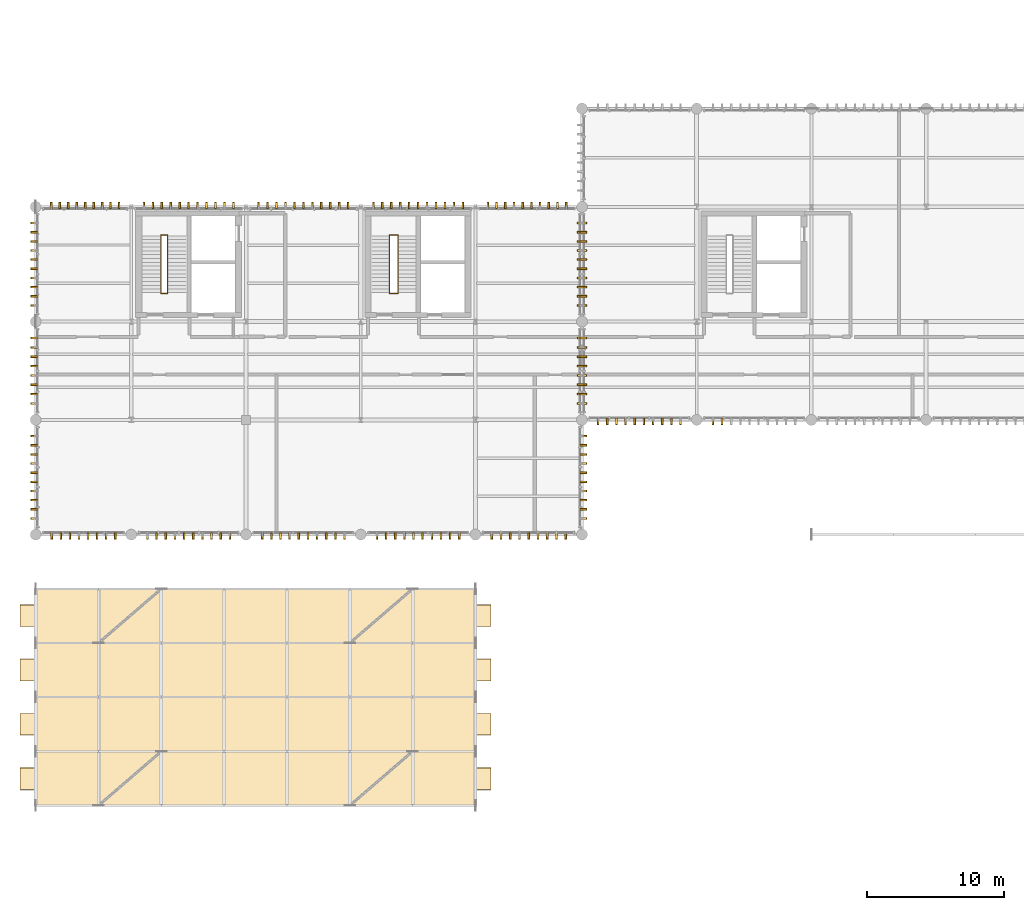
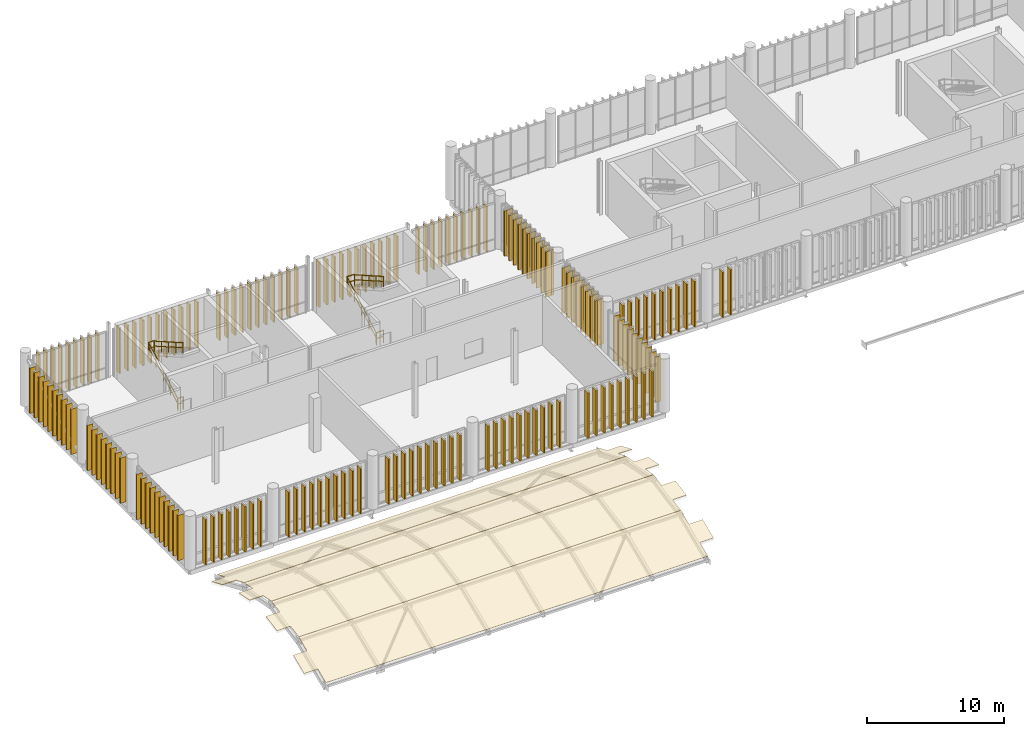
# One storey, part 87 of 94: 189 coverings, 8 railings, 1 element without a shape of its own.
"""IFC4 building model written with IfcOpenShell, lengths in metres."""

from ifc_helpers import new_model, si_unit, direction, frame, frame_2d, origin_with_axes, origin_2d_with_axis, place, context, subcontext, project, spatial, polyline, rectangle, circle, outline, extrude, material, type_object, element, aggregate, save


model = new_model("IFC4")

# Units and contexts
model_context = context("Model", 3, precision=1e-05, world=origin_with_axes(), true_north=direction((0.0, 1.0)))
body_context = subcontext(model_context, "Body", "Model", "MODEL_VIEW")
ifc_project = project(units=[si_unit("LENGTHUNIT", "METRE"), si_unit("AREAUNIT", "SQUARE_METRE"), si_unit("VOLUMEUNIT", "CUBIC_METRE"), si_unit("PLANEANGLEUNIT", "RADIAN"), si_unit("MASSUNIT", "GRAM", prefix="KILO"), si_unit("THERMODYNAMICTEMPERATUREUNIT", "KELVIN")], contexts=[model_context])

# Site, building, storey
site_placement = place(None, origin_with_axes())
site = spatial("IfcSite", under=ifc_project, at=site_placement, CompositionType="ELEMENT")
building_placement = place(site_placement, origin_with_axes())
building = spatial("IfcBuilding", under=site, at=building_placement, Name="Montbau Bow Law Courts", CompositionType="ELEMENT")
storey_placement = place(building_placement, frame((0.0, 0.0, 15.6), z_axis=(0.0, 0.0, 1.0), x_axis=(1.0, 0.0, 0.0)))
storey = spatial("IfcBuildingStorey", under=building, at=storey_placement, Name="L03", CompositionType="ELEMENT", Elevation=15.6)

# Coverings
ifc_material_1 = material(Name="Freeze-Thaw Glazed Warm Cream Ceramic Vertical Louvre", Category="masonry")
covering_type_1 = type_object("IfcCoveringType", Name="CV-LVR-CRM", PredefinedType="CLADDING", material=ifc_material_1)
for number, where, z_axis, x_axis, name in (
    (1, (47.985, 39.13, 15.6), (-1.0, 0.0, 0.0), (0.0, -1.0, 0.0), "CLV-L03-1559:cov_1604"),
    (2, (48.655, 39.13, 15.6), (-1.0, 0.0, 0.0), (0.0, -1.0, 0.0), "CLV-L03-1560:cov_1605"),
    (3, (49.325, 39.13, 15.6), (-1.0, 0.0, 0.0), (0.0, -1.0, 0.0), "CLV-L03-1561:cov_1606"),
    (4, (49.995, 39.13, 15.6), (-1.0, 0.0, 0.0), (0.0, -1.0, 0.0), "CLV-L03-1562:cov_1607"),
    (5, (50.665, 39.13, 15.6), (-1.0, 0.0, 0.0), (0.0, -1.0, 0.0), "CLV-L03-1563:cov_1608"),
    (6, (51.335, 39.13, 15.6), (-1.0, 0.0, 0.0), (0.0, -1.0, 0.0), "CLV-L03-1564:cov_1609"),
    (7, (52.005, 39.13, 15.6), (-1.0, 0.0, 0.0), (0.0, -1.0, 0.0), "CLV-L03-1565:cov_1610"),
    (8, (52.675, 39.13, 15.6), (-1.0, 0.0, 0.0), (0.0, -1.0, 0.0), "CLV-L03-1566:cov_1611"),
    (9, (53.345, 39.13, 15.6), (-1.0, 0.0, 0.0), (0.0, -1.0, 0.0), "CLV-L03-1567:cov_1612"),
    (10, (54.015, 39.13, 15.6), (-1.0, 0.0, 0.0), (0.0, -1.0, 0.0), "CLV-L03-1568:cov_1613"),
    (11, (56.385, 39.13, 15.6), (-1.0, 0.0, 0.0), (0.0, -1.0, 0.0), "CLV-L03-1569:cov_1614"),
    (12, (57.055, 39.13, 15.6), (-1.0, 0.0, 0.0), (0.0, -1.0, 0.0), "CLV-L03-1570:cov_1615"),
    (13, (46.93, 40.201, 15.6), (0.0, 1.0, 0.0), (-1.0, 0.0, 0.0), "CLV-L03-1679:cov_1724"),
    (14, (46.93, 40.886, 15.6), (0.0, 1.0, 0.0), (-1.0, 0.0, 0.0), "CLV-L03-1680:cov_1725"),
    (15, (46.93, 41.572, 15.6), (0.0, 1.0, 0.0), (-1.0, 0.0, 0.0), "CLV-L03-1681:cov_1726"),
    (16, (46.93, 42.257, 15.6), (0.0, 1.0, 0.0), (-1.0, 0.0, 0.0), "CLV-L03-1682:cov_1727"),
    (17, (46.93, 42.943, 15.6), (0.0, 1.0, 0.0), (-1.0, 0.0, 0.0), "CLV-L03-1683:cov_1728"),
    (18, (46.93, 43.628, 15.6), (0.0, 1.0, 0.0), (-1.0, 0.0, 0.0), "CLV-L03-1684:cov_1729"),
    (19, (46.93, 44.314, 15.6), (0.0, 1.0, 0.0), (-1.0, 0.0, 0.0), "CLV-L03-1685:cov_1730"),
    (20, (46.93, 44.999, 15.6), (0.0, 1.0, 0.0), (-1.0, 0.0, 0.0), "CLV-L03-1686:cov_1731"),
    (21, (46.93, 47.385, 15.6), (0.0, 1.0, 0.0), (-1.0, 0.0, 0.0), "CLV-L03-1687:cov_1732"),
    (22, (46.93, 48.055, 15.6), (0.0, 1.0, 0.0), (-1.0, 0.0, 0.0), "CLV-L03-1688:cov_1733"),
    (23, (46.93, 48.725, 15.6), (0.0, 1.0, 0.0), (-1.0, 0.0, 0.0), "CLV-L03-1689:cov_1734"),
    (24, (46.93, 49.395, 15.6), (0.0, 1.0, 0.0), (-1.0, 0.0, 0.0), "CLV-L03-1690:cov_1735"),
    (25, (46.93, 50.065, 15.6), (0.0, 1.0, 0.0), (-1.0, 0.0, 0.0), "CLV-L03-1691:cov_1736"),
    (26, (46.93, 50.735, 15.6), (0.0, 1.0, 0.0), (-1.0, 0.0, 0.0), "CLV-L03-1692:cov_1737"),
    (27, (46.93, 51.405, 15.6), (0.0, 1.0, 0.0), (-1.0, 0.0, 0.0), "CLV-L03-1693:cov_1738"),
    (28, (46.93, 52.075, 15.6), (0.0, 1.0, 0.0), (-1.0, 0.0, 0.0), "CLV-L03-1694:cov_1739"),
    (29, (46.93, 52.745, 15.6), (0.0, 1.0, 0.0), (-1.0, 0.0, 0.0), "CLV-L03-1695:cov_1740"),
    (30, (46.93, 53.415, 15.6), (0.0, 1.0, 0.0), (-1.0, 0.0, 0.0), "CLV-L03-1696:cov_1741"),
):
    element("IfcCovering", number, at=place(None, frame(where, z_axis=z_axis, x_axis=x_axis)), inside=storey, type_object=covering_type_1, Name=name, PredefinedType="CLADDING", context=body_context, shape_type="SweptSolid", body=[
        extrude(rectangle(XDim=0.48, YDim=4.04, at=frame_2d((0.24, 2.02), x_axis=(1.0, 0.0))), frame((0.0, 0.0, -0.06), z_axis=(0.0, 0.0, 1.0), x_axis=(1.0, 0.0, 0.0)), (0.0, 0.0, 1.0), 0.12),
    ])
ifc_material_2 = material(Name="Freeze-Thaw Glazed Terracotta-Red Ceramic Vertical Louvre", Category="masonry")
covering_type_2 = type_object("IfcCoveringType", Name="CV-LVR-RED", PredefinedType="CLADDING", material=ifc_material_2)
for number, where, z_axis, x_axis, name in (
    (31, (7.978, 30.73, 15.6), (-1.0, 0.0, 0.0), (0.0, -1.0, 0.0), "CLV-L03-0453:cov_0498"),
    (32, (8.642, 30.73, 15.6), (-1.0, 0.0, 0.0), (0.0, -1.0, 0.0), "CLV-L03-0454:cov_0499"),
    (33, (9.305, 30.73, 15.6), (-1.0, 0.0, 0.0), (0.0, -1.0, 0.0), "CLV-L03-0455:cov_0500"),
    (34, (9.968, 30.73, 15.6), (-1.0, 0.0, 0.0), (0.0, -1.0, 0.0), "CLV-L03-0456:cov_0501"),
    (35, (10.632, 30.73, 15.6), (-1.0, 0.0, 0.0), (0.0, -1.0, 0.0), "CLV-L03-0457:cov_0502"),
    (36, (11.295, 30.73, 15.6), (-1.0, 0.0, 0.0), (0.0, -1.0, 0.0), "CLV-L03-0458:cov_0503"),
    (37, (11.958, 30.73, 15.6), (-1.0, 0.0, 0.0), (0.0, -1.0, 0.0), "CLV-L03-0459:cov_0504"),
    (38, (12.622, 30.73, 15.6), (-1.0, 0.0, 0.0), (0.0, -1.0, 0.0), "CLV-L03-0460:cov_0505"),
    (39, (14.985, 30.73, 15.6), (-1.0, 0.0, 0.0), (0.0, -1.0, 0.0), "CLV-L03-0461:cov_0506"),
    (40, (15.655, 30.73, 15.6), (-1.0, 0.0, 0.0), (0.0, -1.0, 0.0), "CLV-L03-0462:cov_0507"),
    (41, (16.325, 30.73, 15.6), (-1.0, 0.0, 0.0), (0.0, -1.0, 0.0), "CLV-L03-0463:cov_0508"),
    (42, (16.995, 30.73, 15.6), (-1.0, 0.0, 0.0), (0.0, -1.0, 0.0), "CLV-L03-0464:cov_0509"),
    (43, (17.665, 30.73, 15.6), (-1.0, 0.0, 0.0), (0.0, -1.0, 0.0), "CLV-L03-0465:cov_0510"),
    (44, (18.335, 30.73, 15.6), (-1.0, 0.0, 0.0), (0.0, -1.0, 0.0), "CLV-L03-0466:cov_0511"),
    (45, (19.005, 30.73, 15.6), (-1.0, 0.0, 0.0), (0.0, -1.0, 0.0), "CLV-L03-0467:cov_0512"),
    (46, (19.675, 30.73, 15.6), (-1.0, 0.0, 0.0), (0.0, -1.0, 0.0), "CLV-L03-0468:cov_0513"),
    (47, (20.345, 30.73, 15.6), (-1.0, 0.0, 0.0), (0.0, -1.0, 0.0), "CLV-L03-0469:cov_0514"),
    (48, (21.015, 30.73, 15.6), (-1.0, 0.0, 0.0), (0.0, -1.0, 0.0), "CLV-L03-0470:cov_0515"),
    (49, (23.385, 30.73, 15.6), (-1.0, 0.0, 0.0), (0.0, -1.0, 0.0), "CLV-L03-0471:cov_0516"),
    (50, (24.055, 30.73, 15.6), (-1.0, 0.0, 0.0), (0.0, -1.0, 0.0), "CLV-L03-0472:cov_0517"),
    (51, (24.725, 30.73, 15.6), (-1.0, 0.0, 0.0), (0.0, -1.0, 0.0), "CLV-L03-0473:cov_0518"),
    (52, (25.395, 30.73, 15.6), (-1.0, 0.0, 0.0), (0.0, -1.0, 0.0), "CLV-L03-0474:cov_0519"),
    (53, (26.065, 30.73, 15.6), (-1.0, 0.0, 0.0), (0.0, -1.0, 0.0), "CLV-L03-0475:cov_0520"),
    (54, (26.735, 30.73, 15.6), (-1.0, 0.0, 0.0), (0.0, -1.0, 0.0), "CLV-L03-0476:cov_0521"),
    (55, (27.405, 30.73, 15.6), (-1.0, 0.0, 0.0), (0.0, -1.0, 0.0), "CLV-L03-0477:cov_0522"),
    (56, (28.075, 30.73, 15.6), (-1.0, 0.0, 0.0), (0.0, -1.0, 0.0), "CLV-L03-0478:cov_0523"),
    (57, (28.745, 30.73, 15.6), (-1.0, 0.0, 0.0), (0.0, -1.0, 0.0), "CLV-L03-0479:cov_0524"),
    (58, (29.415, 30.73, 15.6), (-1.0, 0.0, 0.0), (0.0, -1.0, 0.0), "CLV-L03-0480:cov_0525"),
    (59, (31.785, 30.73, 15.6), (-1.0, 0.0, 0.0), (0.0, -1.0, 0.0), "CLV-L03-0481:cov_0526"),
    (60, (32.455, 30.73, 15.6), (-1.0, 0.0, 0.0), (0.0, -1.0, 0.0), "CLV-L03-0482:cov_0527"),
    (61, (33.125, 30.73, 15.6), (-1.0, 0.0, 0.0), (0.0, -1.0, 0.0), "CLV-L03-0483:cov_0528"),
    (62, (33.795, 30.73, 15.6), (-1.0, 0.0, 0.0), (0.0, -1.0, 0.0), "CLV-L03-0484:cov_0529"),
    (63, (34.465, 30.73, 15.6), (-1.0, 0.0, 0.0), (0.0, -1.0, 0.0), "CLV-L03-0485:cov_0530"),
    (64, (35.135, 30.73, 15.6), (-1.0, 0.0, 0.0), (0.0, -1.0, 0.0), "CLV-L03-0486:cov_0531"),
    (65, (35.805, 30.73, 15.6), (-1.0, 0.0, 0.0), (0.0, -1.0, 0.0), "CLV-L03-0487:cov_0532"),
    (66, (36.475, 30.73, 15.6), (-1.0, 0.0, 0.0), (0.0, -1.0, 0.0), "CLV-L03-0488:cov_0533"),
    (67, (37.145, 30.73, 15.6), (-1.0, 0.0, 0.0), (0.0, -1.0, 0.0), "CLV-L03-0489:cov_0534"),
    (68, (37.815, 30.73, 15.6), (-1.0, 0.0, 0.0), (0.0, -1.0, 0.0), "CLV-L03-0490:cov_0535"),
    (69, (40.192, 30.73, 15.6), (-1.0, 0.0, 0.0), (0.0, -1.0, 0.0), "CLV-L03-0491:cov_0536"),
    (70, (40.869, 30.73, 15.6), (-1.0, 0.0, 0.0), (0.0, -1.0, 0.0), "CLV-L03-0492:cov_0537"),
    (71, (41.546, 30.73, 15.6), (-1.0, 0.0, 0.0), (0.0, -1.0, 0.0), "CLV-L03-0493:cov_0538"),
    (72, (42.223, 30.73, 15.6), (-1.0, 0.0, 0.0), (0.0, -1.0, 0.0), "CLV-L03-0494:cov_0539"),
    (73, (42.9, 30.73, 15.6), (-1.0, 0.0, 0.0), (0.0, -1.0, 0.0), "CLV-L03-0495:cov_0540"),
    (74, (43.577, 30.73, 15.6), (-1.0, 0.0, 0.0), (0.0, -1.0, 0.0), "CLV-L03-0496:cov_0541"),
    (75, (44.254, 30.73, 15.6), (-1.0, 0.0, 0.0), (0.0, -1.0, 0.0), "CLV-L03-0497:cov_0542"),
    (76, (44.931, 30.73, 15.6), (-1.0, 0.0, 0.0), (0.0, -1.0, 0.0), "CLV-L03-0498:cov_0543"),
    (77, (45.608, 30.73, 15.6), (-1.0, 0.0, 0.0), (0.0, -1.0, 0.0), "CLV-L03-0499:cov_0544"),
    (78, (7.937, 54.47, 15.6), (1.0, 0.0, 0.0), (0.0, 1.0, 0.0), "CLV-L03-0500:cov_0545"),
    (79, (8.559, 54.47, 15.6), (1.0, 0.0, 0.0), (0.0, 1.0, 0.0), "CLV-L03-0501:cov_0546"),
    (80, (9.18, 54.47, 15.6), (1.0, 0.0, 0.0), (0.0, 1.0, 0.0), "CLV-L03-0502:cov_0547"),
    (81, (9.802, 54.47, 15.6), (1.0, 0.0, 0.0), (0.0, 1.0, 0.0), "CLV-L03-0503:cov_0548"),
    (82, (10.424, 54.47, 15.6), (1.0, 0.0, 0.0), (0.0, 1.0, 0.0), "CLV-L03-0504:cov_0549"),
    (83, (11.046, 54.47, 15.6), (1.0, 0.0, 0.0), (0.0, 1.0, 0.0), "CLV-L03-0505:cov_0550"),
    (84, (11.668, 54.47, 15.6), (1.0, 0.0, 0.0), (0.0, 1.0, 0.0), "CLV-L03-0506:cov_0551"),
    (85, (12.289, 54.47, 15.6), (1.0, 0.0, 0.0), (0.0, 1.0, 0.0), "CLV-L03-0507:cov_0552"),
    (86, (12.911, 54.47, 15.6), (1.0, 0.0, 0.0), (0.0, 1.0, 0.0), "CLV-L03-0508:cov_0553"),
    (87, (14.723, 54.47, 15.6), (1.0, 0.0, 0.0), (0.0, 1.0, 0.0), "CLV-L03-0509:cov_0554"),
    (88, (15.379, 54.47, 15.6), (1.0, 0.0, 0.0), (0.0, 1.0, 0.0), "CLV-L03-0510:cov_0555"),
    (89, (16.034, 54.47, 15.6), (1.0, 0.0, 0.0), (0.0, 1.0, 0.0), "CLV-L03-0511:cov_0556"),
    (90, (16.69, 54.47, 15.6), (1.0, 0.0, 0.0), (0.0, 1.0, 0.0), "CLV-L03-0512:cov_0557"),
    (91, (17.345, 54.47, 15.6), (1.0, 0.0, 0.0), (0.0, 1.0, 0.0), "CLV-L03-0513:cov_0558"),
    (92, (18.001, 54.47, 15.6), (1.0, 0.0, 0.0), (0.0, 1.0, 0.0), "CLV-L03-0514:cov_0559"),
    (93, (18.656, 54.47, 15.6), (1.0, 0.0, 0.0), (0.0, 1.0, 0.0), "CLV-L03-0515:cov_0560"),
    (94, (19.311, 54.47, 15.6), (1.0, 0.0, 0.0), (0.0, 1.0, 0.0), "CLV-L03-0516:cov_0561"),
    (95, (19.967, 54.47, 15.6), (1.0, 0.0, 0.0), (0.0, 1.0, 0.0), "CLV-L03-0517:cov_0562"),
    (96, (20.622, 54.47, 15.6), (1.0, 0.0, 0.0), (0.0, 1.0, 0.0), "CLV-L03-0518:cov_0563"),
    (97, (21.278, 54.47, 15.6), (1.0, 0.0, 0.0), (0.0, 1.0, 0.0), "CLV-L03-0519:cov_0564"),
    (98, (23.122, 54.47, 15.6), (1.0, 0.0, 0.0), (0.0, 1.0, 0.0), "CLV-L03-0520:cov_0565"),
    (99, (23.778, 54.47, 15.6), (1.0, 0.0, 0.0), (0.0, 1.0, 0.0), "CLV-L03-0521:cov_0566"),
    (100, (24.433, 54.47, 15.6), (1.0, 0.0, 0.0), (0.0, 1.0, 0.0), "CLV-L03-0522:cov_0567"),
    (101, (25.089, 54.47, 15.6), (1.0, 0.0, 0.0), (0.0, 1.0, 0.0), "CLV-L03-0523:cov_0568"),
    (102, (25.744, 54.47, 15.6), (1.0, 0.0, 0.0), (0.0, 1.0, 0.0), "CLV-L03-0524:cov_0569"),
    (103, (26.4, 54.47, 15.6), (1.0, 0.0, 0.0), (0.0, 1.0, 0.0), "CLV-L03-0525:cov_0570"),
    (104, (27.055, 54.47, 15.6), (1.0, 0.0, 0.0), (0.0, 1.0, 0.0), "CLV-L03-0526:cov_0571"),
    (105, (27.711, 54.47, 15.6), (1.0, 0.0, 0.0), (0.0, 1.0, 0.0), "CLV-L03-0527:cov_0572"),
    (106, (28.366, 54.47, 15.6), (1.0, 0.0, 0.0), (0.0, 1.0, 0.0), "CLV-L03-0528:cov_0573"),
    (107, (29.022, 54.47, 15.6), (1.0, 0.0, 0.0), (0.0, 1.0, 0.0), "CLV-L03-0529:cov_0574"),
    (108, (29.677, 54.47, 15.6), (1.0, 0.0, 0.0), (0.0, 1.0, 0.0), "CLV-L03-0530:cov_0575"),
    (109, (31.522, 54.47, 15.6), (1.0, 0.0, 0.0), (0.0, 1.0, 0.0), "CLV-L03-0531:cov_0576"),
    (110, (32.178, 54.47, 15.6), (1.0, 0.0, 0.0), (0.0, 1.0, 0.0), "CLV-L03-0532:cov_0577"),
    (111, (32.833, 54.47, 15.6), (1.0, 0.0, 0.0), (0.0, 1.0, 0.0), "CLV-L03-0533:cov_0578"),
    (112, (33.489, 54.47, 15.6), (1.0, 0.0, 0.0), (0.0, 1.0, 0.0), "CLV-L03-0534:cov_0579"),
    (113, (34.144, 54.47, 15.6), (1.0, 0.0, 0.0), (0.0, 1.0, 0.0), "CLV-L03-0535:cov_0580"),
    (114, (34.799, 54.47, 15.6), (1.0, 0.0, 0.0), (0.0, 1.0, 0.0), "CLV-L03-0536:cov_0581"),
    (115, (35.455, 54.47, 15.6), (1.0, 0.0, 0.0), (0.0, 1.0, 0.0), "CLV-L03-0537:cov_0582"),
    (116, (36.11, 54.47, 15.6), (1.0, 0.0, 0.0), (0.0, 1.0, 0.0), "CLV-L03-0538:cov_0583"),
    (117, (36.766, 54.47, 15.6), (1.0, 0.0, 0.0), (0.0, 1.0, 0.0), "CLV-L03-0539:cov_0584"),
    (118, (37.421, 54.47, 15.6), (1.0, 0.0, 0.0), (0.0, 1.0, 0.0), "CLV-L03-0540:cov_0585"),
    (119, (38.077, 54.47, 15.6), (1.0, 0.0, 0.0), (0.0, 1.0, 0.0), "CLV-L03-0541:cov_0586"),
    (120, (39.906, 54.47, 15.6), (1.0, 0.0, 0.0), (0.0, 1.0, 0.0), "CLV-L03-0542:cov_0587"),
    (121, (40.544, 54.47, 15.6), (1.0, 0.0, 0.0), (0.0, 1.0, 0.0), "CLV-L03-0543:cov_0588"),
    (122, (41.182, 54.47, 15.6), (1.0, 0.0, 0.0), (0.0, 1.0, 0.0), "CLV-L03-0544:cov_0589"),
    (123, (41.82, 54.47, 15.6), (1.0, 0.0, 0.0), (0.0, 1.0, 0.0), "CLV-L03-0545:cov_0590"),
    (124, (42.458, 54.47, 15.6), (1.0, 0.0, 0.0), (0.0, 1.0, 0.0), "CLV-L03-0546:cov_0591"),
    (125, (43.095, 54.47, 15.6), (1.0, 0.0, 0.0), (0.0, 1.0, 0.0), "CLV-L03-0547:cov_0592"),
    (126, (43.733, 54.47, 15.6), (1.0, 0.0, 0.0), (0.0, 1.0, 0.0), "CLV-L03-0548:cov_0593"),
    (127, (44.371, 54.47, 15.6), (1.0, 0.0, 0.0), (0.0, 1.0, 0.0), "CLV-L03-0549:cov_0594"),
    (128, (45.009, 54.47, 15.6), (1.0, 0.0, 0.0), (0.0, 1.0, 0.0), "CLV-L03-0550:cov_0595"),
    (129, (45.647, 54.47, 15.6), (1.0, 0.0, 0.0), (0.0, 1.0, 0.0), "CLV-L03-0551:cov_0596"),
    (130, (6.93, 31.785, 15.6), (0.0, 1.0, 0.0), (-1.0, 0.0, 0.0), "CLV-L03-0552:cov_0597"),
    (131, (6.93, 32.455, 15.6), (0.0, 1.0, 0.0), (-1.0, 0.0, 0.0), "CLV-L03-0553:cov_0598"),
    (132, (6.93, 33.125, 15.6), (0.0, 1.0, 0.0), (-1.0, 0.0, 0.0), "CLV-L03-0554:cov_0599"),
    (133, (6.93, 33.795, 15.6), (0.0, 1.0, 0.0), (-1.0, 0.0, 0.0), "CLV-L03-0555:cov_0600"),
    (134, (6.93, 34.465, 15.6), (0.0, 1.0, 0.0), (-1.0, 0.0, 0.0), "CLV-L03-0556:cov_0601"),
    (135, (6.93, 35.135, 15.6), (0.0, 1.0, 0.0), (-1.0, 0.0, 0.0), "CLV-L03-0557:cov_0602"),
    (136, (6.93, 35.805, 15.6), (0.0, 1.0, 0.0), (-1.0, 0.0, 0.0), "CLV-L03-0558:cov_0603"),
    (137, (6.93, 36.475, 15.6), (0.0, 1.0, 0.0), (-1.0, 0.0, 0.0), "CLV-L03-0559:cov_0604"),
    (138, (6.93, 37.145, 15.6), (0.0, 1.0, 0.0), (-1.0, 0.0, 0.0), "CLV-L03-0560:cov_0605"),
    (139, (6.93, 37.815, 15.6), (0.0, 1.0, 0.0), (-1.0, 0.0, 0.0), "CLV-L03-0561:cov_0606"),
    (140, (6.93, 40.201, 15.6), (0.0, 1.0, 0.0), (-1.0, 0.0, 0.0), "CLV-L03-0562:cov_0607"),
    (141, (6.93, 40.886, 15.6), (0.0, 1.0, 0.0), (-1.0, 0.0, 0.0), "CLV-L03-0563:cov_0608"),
    (142, (6.93, 41.572, 15.6), (0.0, 1.0, 0.0), (-1.0, 0.0, 0.0), "CLV-L03-0564:cov_0609"),
    (143, (6.93, 42.257, 15.6), (0.0, 1.0, 0.0), (-1.0, 0.0, 0.0), "CLV-L03-0565:cov_0610"),
    (144, (6.93, 42.943, 15.6), (0.0, 1.0, 0.0), (-1.0, 0.0, 0.0), "CLV-L03-0566:cov_0611"),
    (145, (6.93, 43.628, 15.6), (0.0, 1.0, 0.0), (-1.0, 0.0, 0.0), "CLV-L03-0567:cov_0612"),
    (146, (6.93, 44.314, 15.6), (0.0, 1.0, 0.0), (-1.0, 0.0, 0.0), "CLV-L03-0568:cov_0613"),
    (147, (6.93, 44.999, 15.6), (0.0, 1.0, 0.0), (-1.0, 0.0, 0.0), "CLV-L03-0569:cov_0614"),
    (148, (6.93, 47.385, 15.6), (0.0, 1.0, 0.0), (-1.0, 0.0, 0.0), "CLV-L03-0570:cov_0615"),
    (149, (6.93, 48.055, 15.6), (0.0, 1.0, 0.0), (-1.0, 0.0, 0.0), "CLV-L03-0571:cov_0616"),
    (150, (6.93, 48.725, 15.6), (0.0, 1.0, 0.0), (-1.0, 0.0, 0.0), "CLV-L03-0572:cov_0617"),
    (151, (6.93, 49.395, 15.6), (0.0, 1.0, 0.0), (-1.0, 0.0, 0.0), "CLV-L03-0573:cov_0618"),
    (152, (6.93, 50.065, 15.6), (0.0, 1.0, 0.0), (-1.0, 0.0, 0.0), "CLV-L03-0574:cov_0619"),
    (153, (6.93, 50.735, 15.6), (0.0, 1.0, 0.0), (-1.0, 0.0, 0.0), "CLV-L03-0575:cov_0620"),
    (154, (6.93, 51.405, 15.6), (0.0, 1.0, 0.0), (-1.0, 0.0, 0.0), "CLV-L03-0576:cov_0621"),
    (155, (6.93, 52.075, 15.6), (0.0, 1.0, 0.0), (-1.0, 0.0, 0.0), "CLV-L03-0577:cov_0622"),
    (156, (6.93, 52.745, 15.6), (0.0, 1.0, 0.0), (-1.0, 0.0, 0.0), "CLV-L03-0578:cov_0623"),
    (157, (6.93, 53.415, 15.6), (0.0, 1.0, 0.0), (-1.0, 0.0, 0.0), "CLV-L03-0579:cov_0624"),
    (158, (46.67, 31.785, 15.6), (0.0, -1.0, 0.0), (1.0, 0.0, 0.0), "CLV-L03-0580:cov_0625"),
    (159, (46.67, 32.455, 15.6), (0.0, -1.0, 0.0), (1.0, 0.0, 0.0), "CLV-L03-0581:cov_0626"),
    (160, (46.67, 33.125, 15.6), (0.0, -1.0, 0.0), (1.0, 0.0, 0.0), "CLV-L03-0582:cov_0627"),
    (161, (46.67, 33.795, 15.6), (0.0, -1.0, 0.0), (1.0, 0.0, 0.0), "CLV-L03-0583:cov_0628"),
    (162, (46.67, 34.465, 15.6), (0.0, -1.0, 0.0), (1.0, 0.0, 0.0), "CLV-L03-0584:cov_0629"),
    (163, (46.67, 35.135, 15.6), (0.0, -1.0, 0.0), (1.0, 0.0, 0.0), "CLV-L03-0585:cov_0630"),
    (164, (46.67, 35.805, 15.6), (0.0, -1.0, 0.0), (1.0, 0.0, 0.0), "CLV-L03-0586:cov_0631"),
    (165, (46.67, 36.475, 15.6), (0.0, -1.0, 0.0), (1.0, 0.0, 0.0), "CLV-L03-0587:cov_0632"),
    (166, (46.67, 37.145, 15.6), (0.0, -1.0, 0.0), (1.0, 0.0, 0.0), "CLV-L03-0588:cov_0633"),
    (167, (46.67, 37.815, 15.6), (0.0, -1.0, 0.0), (1.0, 0.0, 0.0), "CLV-L03-0589:cov_0634"),
    (168, (46.67, 40.201, 15.6), (0.0, -1.0, 0.0), (1.0, 0.0, 0.0), "CLV-L03-0590:cov_0635"),
    (169, (46.67, 40.886, 15.6), (0.0, -1.0, 0.0), (1.0, 0.0, 0.0), "CLV-L03-0591:cov_0636"),
    (170, (46.67, 41.572, 15.6), (0.0, -1.0, 0.0), (1.0, 0.0, 0.0), "CLV-L03-0592:cov_0637"),
    (171, (46.67, 42.257, 15.6), (0.0, -1.0, 0.0), (1.0, 0.0, 0.0), "CLV-L03-0593:cov_0638"),
    (172, (46.67, 42.943, 15.6), (0.0, -1.0, 0.0), (1.0, 0.0, 0.0), "CLV-L03-0594:cov_0639"),
    (173, (46.67, 43.628, 15.6), (0.0, -1.0, 0.0), (1.0, 0.0, 0.0), "CLV-L03-0595:cov_0640"),
    (174, (46.67, 44.314, 15.6), (0.0, -1.0, 0.0), (1.0, 0.0, 0.0), "CLV-L03-0596:cov_0641"),
    (175, (46.67, 44.999, 15.6), (0.0, -1.0, 0.0), (1.0, 0.0, 0.0), "CLV-L03-0597:cov_0642"),
    (176, (46.67, 47.385, 15.6), (0.0, -1.0, 0.0), (1.0, 0.0, 0.0), "CLV-L03-0598:cov_0643"),
    (177, (46.67, 48.055, 15.6), (0.0, -1.0, 0.0), (1.0, 0.0, 0.0), "CLV-L03-0599:cov_0644"),
    (178, (46.67, 48.725, 15.6), (0.0, -1.0, 0.0), (1.0, 0.0, 0.0), "CLV-L03-0600:cov_0645"),
    (179, (46.67, 49.395, 15.6), (0.0, -1.0, 0.0), (1.0, 0.0, 0.0), "CLV-L03-0601:cov_0646"),
    (180, (46.67, 50.065, 15.6), (0.0, -1.0, 0.0), (1.0, 0.0, 0.0), "CLV-L03-0602:cov_0647"),
    (181, (46.67, 50.735, 15.6), (0.0, -1.0, 0.0), (1.0, 0.0, 0.0), "CLV-L03-0603:cov_0648"),
    (182, (46.67, 51.405, 15.6), (0.0, -1.0, 0.0), (1.0, 0.0, 0.0), "CLV-L03-0604:cov_0649"),
    (183, (46.67, 52.075, 15.6), (0.0, -1.0, 0.0), (1.0, 0.0, 0.0), "CLV-L03-0605:cov_0650"),
    (184, (46.67, 52.745, 15.6), (0.0, -1.0, 0.0), (1.0, 0.0, 0.0), "CLV-L03-0606:cov_0651"),
    (185, (46.67, 53.415, 15.6), (0.0, -1.0, 0.0), (1.0, 0.0, 0.0), "CLV-L03-0607:cov_0652"),
):
    element("IfcCovering", number, at=place(None, frame(where, z_axis=z_axis, x_axis=x_axis)), inside=storey, type_object=covering_type_2, Name=name, PredefinedType="CLADDING", context=body_context, shape_type="SweptSolid", body=[
        extrude(rectangle(XDim=0.48, YDim=4.04, at=frame_2d((0.24, 2.02), x_axis=(1.0, 0.0))), frame((0.0, 0.0, -0.06), z_axis=(0.0, 0.0, 1.0), x_axis=(1.0, 0.0, 0.0)), (0.0, 0.0, 1.0), 0.12),
    ])

# Roof, coverings
ifc_material_3 = material(Name="Standing-Seam Zinc Insulated Barrel-Vault Roof", Category="steel")
roof_type = type_object("IfcRoofType", Name="RF-BV-01", PredefinedType="BARREL_ROOF", material=ifc_material_3)
roof_placement = place(None, frame((6.8, 6.8, 14.0), z_axis=(0.0, 0.0, 1.0), x_axis=(1.0, 0.0, 0.0)))
roof = element("IfcRoof", 186, at=roof_placement, inside=storey, type_object=roof_type, Name="BV-ROOF-V1-L03:rof_0029", PredefinedType="BARREL_ROOF")
ifc_material_4 = material(Name="Standing-Seam Pre-Weathered Zinc Roofing Membrane", Category="steel")
covering_type_3 = type_object("IfcCoveringType", Name="CV-ROF-01", PredefinedType="ROOFING", material=ifc_material_4)
covering_1_placement = place(None, frame((0.0, 0.0, 12.75923), z_axis=(0.0, -0.388798268, 0.921322911), x_axis=(1.0, 0.0, 0.0)))
covering_1 = element("IfcCovering", 187, at=covering_1_placement, type_object=covering_type_3, Name="BV-CVR-V1-F2:cov_0029", PredefinedType="ROOFING", context=body_context, shape_type="SweptSolid", body=[
    extrude(outline(polyline([(6.8, 11.686456), (39.0, 11.686456), (39.0, 12.978077), (40.15, 12.978077), (40.15, 14.699515), (39.0, 14.699515), (39.0, 15.991136), (6.8, 15.991136), (6.8, 14.699515), (5.65, 14.699515), (5.65, 12.978077), (6.8, 12.978077), (6.8, 11.686456)])), origin_with_axes(), (0.0, 0.0, 1.0), 0.05),
])
covering_2_placement = place(None, frame((0.0, 0.0, 16.094438), z_axis=(0.0, -0.191395051, 0.981513084), x_axis=(1.0, 0.0, 0.0)))
covering_2 = element("IfcCovering", 188, at=covering_2_placement, type_object=covering_type_3, Name="BV-CVR-V1-F3:cov_0030", PredefinedType="ROOFING", context=body_context, shape_type="SweptSolid", body=[
    extrude(outline(polyline([(6.8, 15.010498), (39.0, 15.010498), (39.0, 16.222912), (40.15, 16.222912), (40.15, 17.839803), (39.0, 17.839803), (39.0, 19.052217), (6.8, 19.052217), (6.8, 17.839803), (5.65, 17.839803), (5.65, 16.222912), (6.8, 16.222912), (6.8, 15.010498)])), origin_with_axes(), (0.0, 0.0, 1.0), 0.05),
])
covering_3_placement = place(None, frame((0.0, 0.0, 23.387438), z_axis=(0.0, 0.191395051, 0.981513084), x_axis=(1.0, 0.0, 0.0)))
covering_3 = element("IfcCovering", 189, at=covering_3_placement, type_object=covering_type_3, Name="BV-CVR-V1-F4:cov_0031", PredefinedType="ROOFING", context=body_context, shape_type="SweptSolid", body=[
    extrude(outline(polyline([(6.8, 19.052217), (39.0, 19.052217), (39.0, 20.264631), (40.15, 20.264631), (40.15, 21.881522), (39.0, 21.881522), (39.0, 23.093936), (6.8, 23.093936), (6.8, 21.881522), (5.65, 21.881522), (5.65, 20.264631), (6.8, 20.264631), (6.8, 19.052217)])), origin_with_axes(), (0.0, 0.0, 1.0), 0.05),
])
covering_4_placement = place(None, frame((0.0, 0.0, 28.54203), z_axis=(0.0, 0.388798268, 0.921322911), x_axis=(1.0, 0.0, 0.0)))
covering_4 = element("IfcCovering", 190, at=covering_4_placement, type_object=covering_type_3, Name="BV-CVR-V1-F5:cov_0032", PredefinedType="ROOFING", context=body_context, shape_type="SweptSolid", body=[
    extrude(outline(polyline([(6.8, 24.602666), (39.0, 24.602666), (39.0, 25.894287), (40.15, 25.894287), (40.15, 27.615725), (39.0, 27.615725), (39.0, 28.907346), (6.8, 28.907346), (6.8, 27.615725), (5.65, 27.615725), (5.65, 25.894287), (6.8, 25.894287), (6.8, 24.602666)])), origin_with_axes(), (0.0, 0.0, 1.0), 0.05),
])
aggregate(roof, [covering_1, covering_2, covering_3, covering_4])

# Railings
ifc_material_5 = material(Name="Architectural Bronze-Finished Steel Stair Guard", Category="steel")
railing_type_1 = type_object("IfcRailingType", Name="RL-GRD-1100", PredefinedType="GUARDRAIL", material=ifc_material_5)
railing_1_placement = place(None, origin_with_axes())
element("IfcRailing", 191, at=railing_1_placement, inside=storey, type_object=railing_type_1, Name="SG-ST-P1-L03-ML:rlg_0048", PredefinedType="GUARDRAIL", context=body_context, shape_type="SweptSolid", body=[
    extrude(circle(Radius=0.0225, at=origin_2d_with_axis()), frame((15.985, 52.53, 19.102), z_axis=(1.0, 0.0, 0.0), x_axis=(0.0, 0.0, 1.0)), (0.0, 0.0, 1.0), 0.455),
    extrude(circle(Radius=0.02025, at=origin_2d_with_axis()), frame((15.985, 52.53, 18.572), z_axis=(1.0, 0.0, 0.0), x_axis=(0.0, 0.0, 1.0)), (0.0, 0.0, 1.0), 0.455),
    extrude(circle(Radius=0.02025, at=origin_2d_with_axis()), frame((15.985, 52.53, 18.0), z_axis=(0.0, 0.0, 1.0), x_axis=(1.0, 0.0, 0.0)), (0.0, 0.0, 1.0), 1.07525),
    extrude(circle(Radius=0.02025, at=origin_2d_with_axis()), frame((16.44, 52.53, 18.0), z_axis=(0.0, 0.0, 1.0), x_axis=(1.0, 0.0, 0.0)), (0.0, 0.0, 1.0), 1.07525),
])
railing_2_placement = place(None, origin_with_axes())
element("IfcRailing", 192, at=railing_2_placement, inside=storey, type_object=railing_type_1, Name="SG-ST-P1-L03-BL:rlg_0049", PredefinedType="GUARDRAIL", context=body_context, shape_type="SweptSolid", body=[
    extrude(circle(Radius=0.0225, at=origin_2d_with_axis()), frame((15.985, 48.27, 16.702), z_axis=(1.0, 0.0, 0.0), x_axis=(0.0, 0.0, 1.0)), (0.0, 0.0, 1.0), 0.455),
    extrude(circle(Radius=0.02025, at=origin_2d_with_axis()), frame((15.985, 48.27, 16.172), z_axis=(1.0, 0.0, 0.0), x_axis=(0.0, 0.0, 1.0)), (0.0, 0.0, 1.0), 0.455),
    extrude(circle(Radius=0.02025, at=origin_2d_with_axis()), frame((15.985, 48.27, 15.6), z_axis=(0.0, 0.0, 1.0), x_axis=(1.0, 0.0, 0.0)), (0.0, 0.0, 1.0), 1.07525),
    extrude(circle(Radius=0.02025, at=origin_2d_with_axis()), frame((16.44, 48.27, 15.6), z_axis=(0.0, 0.0, 1.0), x_axis=(1.0, 0.0, 0.0)), (0.0, 0.0, 1.0), 1.07525),
])
railing_3_placement = place(None, origin_with_axes())
element("IfcRailing", 193, at=railing_3_placement, inside=storey, type_object=railing_type_1, Name="SG-ST-J1-L03-ML:rlg_0080", PredefinedType="GUARDRAIL", context=body_context, shape_type="SweptSolid", body=[
    extrude(circle(Radius=0.0225, at=origin_2d_with_axis()), frame((32.705, 52.53, 19.102), z_axis=(1.0, 0.0, 0.0), x_axis=(0.0, 0.0, 1.0)), (0.0, 0.0, 1.0), 0.615),
    extrude(circle(Radius=0.02025, at=origin_2d_with_axis()), frame((32.705, 52.53, 18.572), z_axis=(1.0, 0.0, 0.0), x_axis=(0.0, 0.0, 1.0)), (0.0, 0.0, 1.0), 0.615),
    extrude(circle(Radius=0.02025, at=origin_2d_with_axis()), frame((32.705, 52.53, 18.0), z_axis=(0.0, 0.0, 1.0), x_axis=(1.0, 0.0, 0.0)), (0.0, 0.0, 1.0), 1.07525),
    extrude(circle(Radius=0.02025, at=origin_2d_with_axis()), frame((33.32, 52.53, 18.0), z_axis=(0.0, 0.0, 1.0), x_axis=(1.0, 0.0, 0.0)), (0.0, 0.0, 1.0), 1.07525),
])
railing_4_placement = place(None, origin_with_axes())
element("IfcRailing", 194, at=railing_4_placement, inside=storey, type_object=railing_type_1, Name="SG-ST-J1-L03-BL:rlg_0081", PredefinedType="GUARDRAIL", context=body_context, shape_type="SweptSolid", body=[
    extrude(circle(Radius=0.0225, at=origin_2d_with_axis()), frame((32.705, 48.27, 16.702), z_axis=(1.0, 0.0, 0.0), x_axis=(0.0, 0.0, 1.0)), (0.0, 0.0, 1.0), 0.615),
    extrude(circle(Radius=0.02025, at=origin_2d_with_axis()), frame((32.705, 48.27, 16.172), z_axis=(1.0, 0.0, 0.0), x_axis=(0.0, 0.0, 1.0)), (0.0, 0.0, 1.0), 0.615),
    extrude(circle(Radius=0.02025, at=origin_2d_with_axis()), frame((32.705, 48.27, 15.6), z_axis=(0.0, 0.0, 1.0), x_axis=(1.0, 0.0, 0.0)), (0.0, 0.0, 1.0), 1.07525),
    extrude(circle(Radius=0.02025, at=origin_2d_with_axis()), frame((33.32, 48.27, 15.6), z_axis=(0.0, 0.0, 1.0), x_axis=(1.0, 0.0, 0.0)), (0.0, 0.0, 1.0), 1.07525),
])
ifc_material_6 = material(Name="White-Oak and Stainless Continuous Stair Handrail", Category="steel")
railing_type_2 = type_object("IfcRailingType", Name="RL-HND-0920", PredefinedType="HANDRAIL", material=ifc_material_6)
railing_5_placement = place(None, origin_with_axes())
element("IfcRailing", 195, at=railing_5_placement, inside=storey, type_object=railing_type_2, Name="HR-ST-P1-L03-1:rlg_0050", PredefinedType="HANDRAIL", context=body_context, shape_type="SweptSolid", body=[
    extrude(circle(Radius=0.021, at=origin_2d_with_axis()), frame((15.985, 48.3, 16.682), z_axis=(0.0, 0.868243142, 0.496138938), x_axis=(0.0, -0.496138938, 0.868243142)), (0.0, 0.0, 1.0), 4.837355),
    extrude(circle(Radius=0.0189, at=origin_2d_with_axis()), frame((15.985, 48.3, 16.2384), z_axis=(0.0, 0.868243142, 0.496138938), x_axis=(0.0, -0.496138938, 0.868243142)), (0.0, 0.0, 1.0), 4.837355),
    extrude(circle(Radius=0.0189, at=origin_2d_with_axis()), frame((15.985, 48.3, 15.76), z_axis=(0.0, 0.0, 1.0), x_axis=(1.0, 0.0, 0.0)), (0.0, 0.0, 1.0), 0.8969),
    extrude(circle(Radius=0.0189, at=origin_2d_with_axis()), frame((15.985, 49.35, 16.36), z_axis=(0.0, 0.0, 1.0), x_axis=(1.0, 0.0, 0.0)), (0.0, 0.0, 1.0), 0.8969),
    extrude(circle(Radius=0.0189, at=origin_2d_with_axis()), frame((15.985, 50.4, 16.96), z_axis=(0.0, 0.0, 1.0), x_axis=(1.0, 0.0, 0.0)), (0.0, 0.0, 1.0), 0.8969),
    extrude(circle(Radius=0.0189, at=origin_2d_with_axis()), frame((15.985, 51.45, 17.56), z_axis=(0.0, 0.0, 1.0), x_axis=(1.0, 0.0, 0.0)), (0.0, 0.0, 1.0), 0.8969),
    extrude(circle(Radius=0.0189, at=origin_2d_with_axis()), frame((15.985, 52.5, 18.16), z_axis=(0.0, 0.0, 1.0), x_axis=(1.0, 0.0, 0.0)), (0.0, 0.0, 1.0), 0.8969),
])
railing_6_placement = place(None, origin_with_axes())
element("IfcRailing", 196, at=railing_6_placement, inside=storey, type_object=railing_type_2, Name="HR-ST-P1-L03-2:rlg_0051", PredefinedType="HANDRAIL", context=body_context, shape_type="SweptSolid", body=[
    extrude(circle(Radius=0.021, at=origin_2d_with_axis()), frame((16.44, 52.5, 19.082), z_axis=(0.0, -0.868243142, 0.496138938), x_axis=(0.0, 0.496138938, 0.868243142)), (0.0, 0.0, 1.0), 4.837355),
    extrude(circle(Radius=0.0189, at=origin_2d_with_axis()), frame((16.44, 52.5, 18.6384), z_axis=(0.0, -0.868243142, 0.496138938), x_axis=(0.0, 0.496138938, 0.868243142)), (0.0, 0.0, 1.0), 4.837355),
    extrude(circle(Radius=0.0189, at=origin_2d_with_axis()), frame((16.44, 52.5, 18.16), z_axis=(0.0, 0.0, 1.0), x_axis=(1.0, 0.0, 0.0)), (0.0, 0.0, 1.0), 0.8969),
    extrude(circle(Radius=0.0189, at=origin_2d_with_axis()), frame((16.44, 51.45, 18.76), z_axis=(0.0, 0.0, 1.0), x_axis=(1.0, 0.0, 0.0)), (0.0, 0.0, 1.0), 0.8969),
    extrude(circle(Radius=0.0189, at=origin_2d_with_axis()), frame((16.44, 50.4, 19.36), z_axis=(0.0, 0.0, 1.0), x_axis=(1.0, 0.0, 0.0)), (0.0, 0.0, 1.0), 0.8969),
    extrude(circle(Radius=0.0189, at=origin_2d_with_axis()), frame((16.44, 49.35, 19.96), z_axis=(0.0, 0.0, 1.0), x_axis=(1.0, 0.0, 0.0)), (0.0, 0.0, 1.0), 0.8969),
    extrude(circle(Radius=0.0189, at=origin_2d_with_axis()), frame((16.44, 48.3, 20.56), z_axis=(0.0, 0.0, 1.0), x_axis=(1.0, 0.0, 0.0)), (0.0, 0.0, 1.0), 0.8969),
])
railing_7_placement = place(None, origin_with_axes())
element("IfcRailing", 197, at=railing_7_placement, inside=storey, type_object=railing_type_2, Name="HR-ST-J1-L03-1:rlg_0082", PredefinedType="HANDRAIL", context=body_context, shape_type="SweptSolid", body=[
    extrude(circle(Radius=0.021, at=origin_2d_with_axis()), frame((32.705, 48.3, 16.682), z_axis=(0.0, 0.868243142, 0.496138938), x_axis=(0.0, -0.496138938, 0.868243142)), (0.0, 0.0, 1.0), 4.837355),
    extrude(circle(Radius=0.0189, at=origin_2d_with_axis()), frame((32.705, 48.3, 16.2384), z_axis=(0.0, 0.868243142, 0.496138938), x_axis=(0.0, -0.496138938, 0.868243142)), (0.0, 0.0, 1.0), 4.837355),
    extrude(circle(Radius=0.0189, at=origin_2d_with_axis()), frame((32.705, 48.3, 15.76), z_axis=(0.0, 0.0, 1.0), x_axis=(1.0, 0.0, 0.0)), (0.0, 0.0, 1.0), 0.8969),
    extrude(circle(Radius=0.0189, at=origin_2d_with_axis()), frame((32.705, 49.35, 16.36), z_axis=(0.0, 0.0, 1.0), x_axis=(1.0, 0.0, 0.0)), (0.0, 0.0, 1.0), 0.8969),
    extrude(circle(Radius=0.0189, at=origin_2d_with_axis()), frame((32.705, 50.4, 16.96), z_axis=(0.0, 0.0, 1.0), x_axis=(1.0, 0.0, 0.0)), (0.0, 0.0, 1.0), 0.8969),
    extrude(circle(Radius=0.0189, at=origin_2d_with_axis()), frame((32.705, 51.45, 17.56), z_axis=(0.0, 0.0, 1.0), x_axis=(1.0, 0.0, 0.0)), (0.0, 0.0, 1.0), 0.8969),
    extrude(circle(Radius=0.0189, at=origin_2d_with_axis()), frame((32.705, 52.5, 18.16), z_axis=(0.0, 0.0, 1.0), x_axis=(1.0, 0.0, 0.0)), (0.0, 0.0, 1.0), 0.8969),
])
railing_8_placement = place(None, origin_with_axes())
element("IfcRailing", 198, at=railing_8_placement, inside=storey, type_object=railing_type_2, Name="HR-ST-J1-L03-2:rlg_0083", PredefinedType="HANDRAIL", context=body_context, shape_type="SweptSolid", body=[
    extrude(circle(Radius=0.021, at=origin_2d_with_axis()), frame((33.32, 52.5, 19.082), z_axis=(0.0, -0.868243142, 0.496138938), x_axis=(0.0, 0.496138938, 0.868243142)), (0.0, 0.0, 1.0), 4.837355),
    extrude(circle(Radius=0.0189, at=origin_2d_with_axis()), frame((33.32, 52.5, 18.6384), z_axis=(0.0, -0.868243142, 0.496138938), x_axis=(0.0, 0.496138938, 0.868243142)), (0.0, 0.0, 1.0), 4.837355),
    extrude(circle(Radius=0.0189, at=origin_2d_with_axis()), frame((33.32, 52.5, 18.16), z_axis=(0.0, 0.0, 1.0), x_axis=(1.0, 0.0, 0.0)), (0.0, 0.0, 1.0), 0.8969),
    extrude(circle(Radius=0.0189, at=origin_2d_with_axis()), frame((33.32, 51.45, 18.76), z_axis=(0.0, 0.0, 1.0), x_axis=(1.0, 0.0, 0.0)), (0.0, 0.0, 1.0), 0.8969),
    extrude(circle(Radius=0.0189, at=origin_2d_with_axis()), frame((33.32, 50.4, 19.36), z_axis=(0.0, 0.0, 1.0), x_axis=(1.0, 0.0, 0.0)), (0.0, 0.0, 1.0), 0.8969),
    extrude(circle(Radius=0.0189, at=origin_2d_with_axis()), frame((33.32, 49.35, 19.96), z_axis=(0.0, 0.0, 1.0), x_axis=(1.0, 0.0, 0.0)), (0.0, 0.0, 1.0), 0.8969),
    extrude(circle(Radius=0.0189, at=origin_2d_with_axis()), frame((33.32, 48.3, 20.56), z_axis=(0.0, 0.0, 1.0), x_axis=(1.0, 0.0, 0.0)), (0.0, 0.0, 1.0), 0.8969),
])

save(model, "model.ifc")
